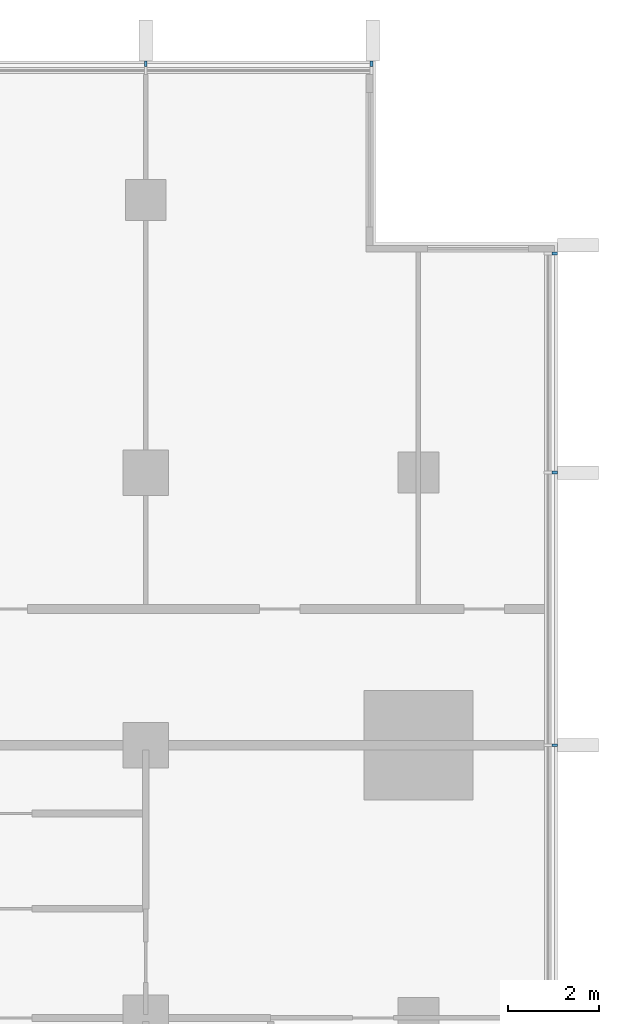
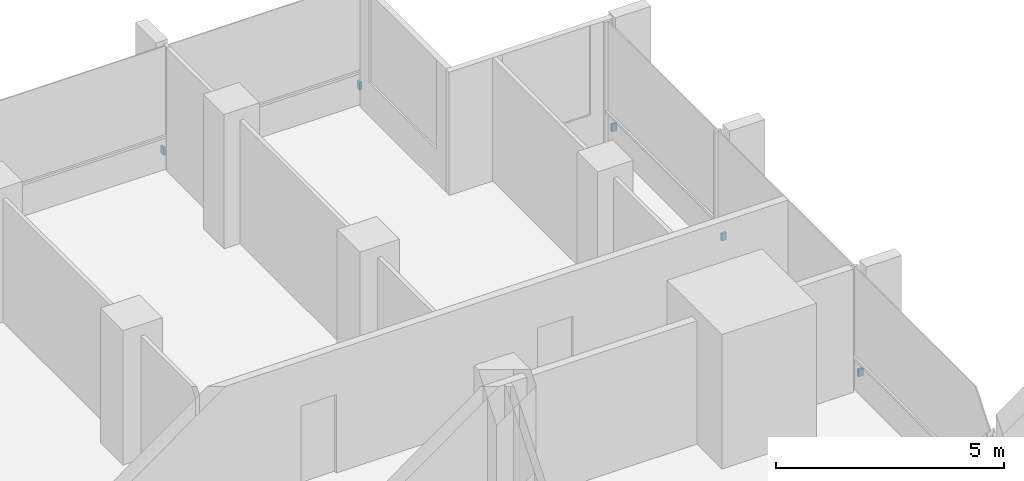
# One storey, part 15 of 16: 5 discrete accessories.
"""IFC4 building model written with IfcOpenShell, lengths in metres."""

from ifc_helpers import new_model, si_unit, direction, frame, origin, origin_2d, place, context, subcontext, project, spatial, rectangle, extrude, material, type_object, element, save


model = new_model("IFC4")

# Units and contexts
model_context = context("Model", 3, precision=1e-05, world=origin(), true_north=direction((0.0, 1.0)))
body_context = subcontext(model_context, "Body", "Model", "MODEL_VIEW")
ifc_project = project(units=[si_unit("LENGTHUNIT", "METRE"), si_unit("AREAUNIT", "SQUARE_METRE"), si_unit("VOLUMEUNIT", "CUBIC_METRE"), si_unit("PLANEANGLEUNIT", "RADIAN"), si_unit("MASSUNIT", "GRAM", prefix="KILO")], contexts=[model_context])

# Site, building, storey
site_placement = place(None, origin())
site = spatial("IfcSite", under=ifc_project, at=site_placement, CompositionType="ELEMENT")
building_placement = place(site_placement, origin())
building = spatial("IfcBuilding", under=site, at=building_placement, Name="Finial Court Residences", CompositionType="ELEMENT")
storey_placement = place(building_placement, frame((0.0, 0.0, 188.89990234375)))
storey = spatial("IfcBuildingStorey", under=building, at=storey_placement, Name="L47", CompositionType="ELEMENT", Elevation=188.89990234375)

# Discrete accessories
ifc_material = material(Name="Stainless steel 316", Category="steel")
discrete_accessory_type = type_object("IfcDiscreteAccessoryType", Name="Fin bracket, stainless steel 60 x 122 x 200", PredefinedType="BRACKET", material=ifc_material)
for number, where, z_axis, x_axis, name in (
    (1, (10.5, 22.498779296875, 0.30029296875), (0.0, 0.0, 1.0), (1.0, 0.0, 0.0), "E-L47-FIN-N5-BRK"),
    (2, (15.469970703125, 22.498779296875, 0.30029296875), (0.0, 0.0, 1.0), (1.0, 0.0, 0.0), "E-L47-FIN-N6-BRK"),
):
    element("IfcDiscreteAccessory", number, at=place(storey_placement, frame(where, z_axis=z_axis, x_axis=x_axis)), inside=storey, type_object=discrete_accessory_type, Name=name, PredefinedType="BRACKET", context=body_context, shape_type="SweptSolid", body=[
        extrude(rectangle(XDim=0.06005859375, YDim=0.12255859375, at=origin_2d()), origin(), (0.0, 0.0, 1.0), 0.199951171875),
    ])
for number, where, z_axis, x_axis, name in (
    (3, (19.498779296875, 7.5, 0.30029296875), (0.0, 0.0, 1.0), (1.0, 0.0, 0.0), "E-L47-FIN-E11-BRK"),
    (4, (19.498779296875, 13.5, 0.30029296875), (0.0, 0.0, 1.0), (1.0, 0.0, 0.0), "E-L47-FIN-E12-BRK"),
    (5, (19.498779296875, 18.320068359375, 0.30029296875), (0.0, 0.0, 1.0), (1.0, 0.0, 0.0), "E-L47-FIN-E13-BRK"),
):
    element("IfcDiscreteAccessory", number, at=place(storey_placement, frame(where, z_axis=z_axis, x_axis=x_axis)), inside=storey, type_object=discrete_accessory_type, Name=name, PredefinedType="BRACKET", context=body_context, shape_type="SweptSolid", body=[
        extrude(rectangle(XDim=0.12255859375, YDim=0.06005859375, at=origin_2d()), origin(), (0.0, 0.0, 1.0), 0.199951171875),
    ])

save(model, "model.ifc")
